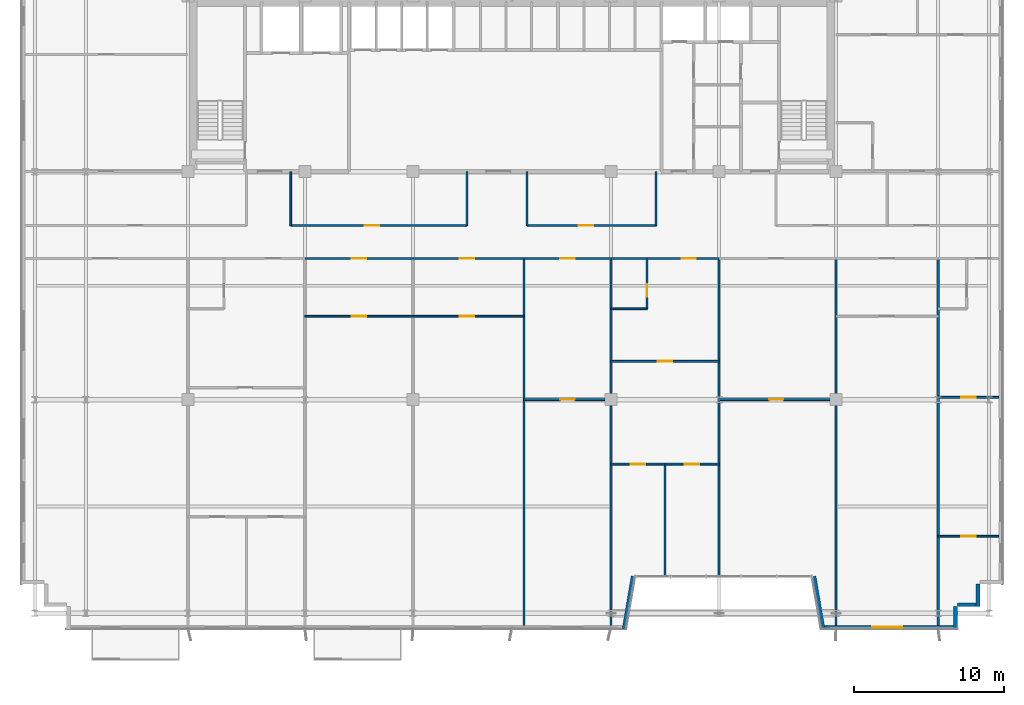
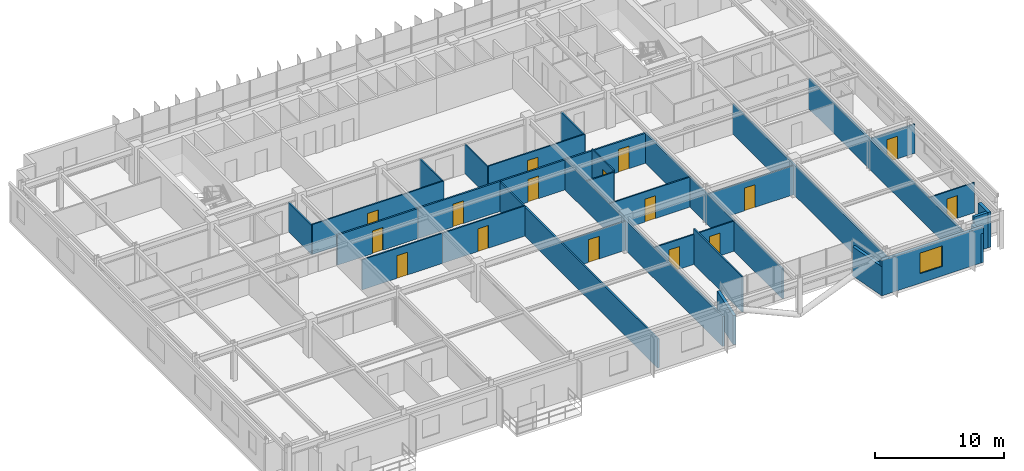
# One storey, part 20 of 26: 33 walls, 16 doors, 1 window, 17 openings.
"""IFC4 building model written with IfcOpenShell, lengths in metres."""

from ifc_helpers import new_model, si_unit, direction, frame, frame_2d, origin, place, context, subcontext, project, spatial, rectangle, extrude, source, transform, mapped, material, layer, layer_set, type_object, element, fill, save


model = new_model("IFC4")

# Units and contexts
model_context = context("Model", 3, precision=1e-05, world=origin(), true_north=direction((0.0, 1.0)))
body_context = subcontext(model_context, "Body", "Model", "MODEL_VIEW")
ifc_project = project(units=[si_unit("LENGTHUNIT", "METRE"), si_unit("AREAUNIT", "SQUARE_METRE"), si_unit("VOLUMEUNIT", "CUBIC_METRE"), si_unit("PLANEANGLEUNIT", "RADIAN"), si_unit("MASSUNIT", "GRAM", prefix="KILO")], contexts=[model_context])

# Site, building, storey
site_placement = place(None, origin())
site = spatial("IfcSite", under=ifc_project, at=site_placement, CompositionType="ELEMENT")
building_placement = place(site_placement, origin())
building = spatial("IfcBuilding", under=site, at=building_placement, Name="Trelvane Seafront Commons", CompositionType="ELEMENT")
storey_placement = place(building_placement, frame((0.0, 0.0, 124.89990234375)))
storey = spatial("IfcBuildingStorey", under=building, at=storey_placement, Name="L32", CompositionType="ELEMENT", Elevation=124.89990234375)

# Walls
ifc_material_1 = material(Name="Precast concrete C40/50", Category="concrete")
ifc_layer_1 = layer(ifc_material_1, 0.260009765625, Name="ARCH-WALL-EXT260")
ifc_layer_set_1 = layer_set([ifc_layer_1], Name="Precast concrete C40/50")
wall_type_1 = type_object("IfcWallType", Name="ARCH-WALL-EXT260", PredefinedType="SOLIDWALL", material=ifc_layer_set_1)
for number, where, z_axis, x_axis, name in (
    (1, (68.27001953125, 5.89990234375, 0.0), (0.0, 0.0, 1.0), (0.0, -1.0, 0.0), "EW-L32-00621"),
    (2, (68.39990234375, 4.530029296875, 0.0), (0.0, 0.0, 1.0), (-1.0, 0.0, 0.0), "EW-L32-00622"),
):
    element("IfcWall", number, at=place(storey_placement, frame(where, z_axis=z_axis, x_axis=x_axis)), inside=storey, type_object=wall_type_1, Name=name, PredefinedType="SOLIDWALL", context=body_context, shape_type="SweptSolid", body=[
        extrude(rectangle(XDim=1.5, YDim=0.260009765625, at=frame_2d((0.75, 0.0))), origin(), (0.0, 0.0, 1.0), 3.340087890625),
    ])
wall_1_placement = place(storey_placement, frame((66.77001953125, 4.39990234375, 0.0), z_axis=(0.0, 0.0, 1.0), x_axis=(0.0, -1.0, 0.0)))
element("IfcWall", 3, at=wall_1_placement, inside=storey, type_object=wall_type_1, Name="EW-L32-00623", PredefinedType="SOLIDWALL", context=body_context, shape_type="SweptSolid", body=[
    extrude(rectangle(XDim=1.5, YDim=0.260009765625, at=frame_2d((0.75, 0.0))), origin(), (0.0, 0.0, 1.0), 2.752197265625),
])

# Wall, opening, window
wall_2_placement = place(storey_placement, frame((66.89990234375, 3.030029296875, 0.0), z_axis=(0.0, 0.0, 1.0), x_axis=(-1.0, 0.0, 0.0)))
wall_2 = element("IfcWall", 4, at=wall_2_placement, inside=storey, type_object=wall_type_1, Name="EW-L32-00624", PredefinedType="SOLIDWALL", context=body_context, shape_type="SweptSolid", body=[
    extrude(rectangle(XDim=9.099853515625, YDim=0.260009765625, at=frame_2d((4.5498046875, 0.0))), origin(), (0.0, 0.0, 1.0), 3.340087890625),
])
opening_1_placement = place(wall_2_placement, frame((3.699951171875, 0.0, 0.89990234375)))
opening_1 = element("IfcOpeningElement", 5, at=opening_1_placement, cuts=wall_2, Name="Opening W06", PredefinedType="OPENING", context=body_context, shape_type="SweptSolid", body=[
    extrude(rectangle(XDim=2.0, YDim=1.949951171875, at=frame_2d((1.0, 0.97509765625))), frame((0.0, 0.139892578125, 0.0), z_axis=(0.0, -1.0, 0.0), x_axis=(1.0, 0.0, 0.0)), (0.0, 0.0, 1.0), 0.280029296875),
])
ifc_material_2 = material(Name="Low-E coastal double glazing", Category="glass")
window_type = type_object("IfcWindowType", Name="ARCH-WIN-W06", PartitioningType="SINGLE_PANEL", PredefinedType="WINDOW", material=ifc_material_2)
shared_shape_1 = source(origin(), body_context, "Body", "SweptSolid", [
    extrude(rectangle(XDim=2.0, YDim=1.949951171875, at=frame_2d((1.0, 0.97509765625))), frame((0.0, 0.030029296875, 0.0), z_axis=(0.0, -1.0, 0.0), x_axis=(1.0, 0.0, 0.0)), (0.0, 0.0, 1.0), 0.06005859375),
])
window_placement = place(opening_1_placement, origin())
window = element("IfcWindow", 6, at=window_placement, inside=storey, type_object=window_type, Name="WIN-L32-00734", OverallHeight=1.949951171875, OverallWidth=2.0, PartitioningType="SINGLE_PANEL", PredefinedType="WINDOW", context=body_context, shape_type="MappedRepresentation", body=[
    mapped(shared_shape_1, transform((0.0, 0.0, 0.0), x_axis=(1.0, 0.0, 0.0), y_axis=(0.0, 1.0, 0.0), z_axis=(0.0, 0.0, 1.0), scale=1.0)),
])
fill(opening_1, window)

# Walls
for number, where, z_axis, x_axis, name in (
    (7, (57.927978515625, 2.922119140625, 0.0), (0.0, 0.0, 1.0), (-0.168923741424, 0.98562912375, 0.0), "EW-L32-00625"),
    (8, (45.27197265625, 6.422119140625, 0.0), (0.0, 0.0, 1.0), (-0.168990530437, -0.98561767467, 0.0), "EW-L32-00626"),
):
    element("IfcWall", number, at=place(storey_placement, frame(where, z_axis=z_axis, x_axis=x_axis)), inside=storey, type_object=wall_type_1, Name=name, PredefinedType="SOLIDWALL", context=body_context, shape_type="SweptSolid", body=[
        extrude(rectangle(XDim=3.551025390625, YDim=0.260009765625, at=frame_2d((1.775390625, 0.0))), origin(), (0.0, 0.0, 1.0), 2.752197265625),
    ])

# Wall, opening, door
ifc_material_3 = material(Name="Gypsum Drywall Acoustic Partition")
ifc_layer_2 = layer(ifc_material_3, 0.1201171875, Name="ARCH-WALL-PART120")
ifc_layer_set_2 = layer_set([ifc_layer_2], Name="Gypsum Drywall Acoustic Partition")
wall_type_2 = type_object("IfcWallType", Name="ARCH-WALL-PART120", PredefinedType="PARTITIONING", material=ifc_layer_set_2)
wall_3_placement = place(storey_placement, frame((22.449951171875, 29.800048828125, 0.0), z_axis=(0.0, 0.0, 1.0), x_axis=(1.0, 0.0, 0.0)))
wall_3 = element("IfcWall", 9, at=wall_3_placement, inside=storey, type_object=wall_type_2, Name="W-L32-CORR-N-M1-040", PredefinedType="PARTITIONING", context=body_context, shape_type="SweptSolid", body=[
    extrude(rectangle(XDim=11.75, YDim=0.1201171875, at=frame_2d((5.875, 0.0))), origin(), (0.0, 0.0, 1.0), 2.840087890625),
])
opening_2_placement = place(wall_3_placement, frame((4.944091796875, 0.0, 0.0)))
opening_2 = element("IfcOpeningElement", 10, at=opening_2_placement, cuts=wall_3, Name="Opening D-L32-20", PredefinedType="OPENING", context=body_context, shape_type="SweptSolid", body=[
    extrude(rectangle(XDim=0.949951171875, YDim=2.14990234375, at=frame_2d((0.47509765625, 1.074951171875))), frame((0.0, 0.070068359375, 0.0), z_axis=(0.0, -1.0, 0.0), x_axis=(1.0, 0.0, 0.0)), (0.0, 0.0, 1.0), 0.14013671875),
])
ifc_material_4 = material(Name="Acoustic timber door leaf", Category="wood")
door_type_1 = type_object("IfcDoorType", Name="ARCH-DR-INT950", OperationType="NOTDEFINED", PredefinedType="DOOR", material=ifc_material_4)
shared_shape_2 = source(origin(), body_context, "Body", "SweptSolid", [
    extrude(rectangle(XDim=0.949951171875, YDim=2.14990234375, at=frame_2d((0.47509765625, 1.074951171875))), frame((0.0, 0.02490234375, 0.0), z_axis=(0.0, -1.0, 0.0), x_axis=(1.0, 0.0, 0.0)), (0.0, 0.0, 1.0), 0.050048828125),
])
door_1_placement = place(opening_2_placement, origin())
door_1 = element("IfcDoor", 11, at=door_1_placement, inside=storey, type_object=door_type_1, Name="L32 Door 20", OperationType="SINGLE_SWING_RIGHT", OverallHeight=2.14990234375, OverallWidth=0.949951171875, PredefinedType="DOOR", context=body_context, shape_type="MappedRepresentation", body=[
    mapped(shared_shape_2, transform((0.0, 0.0, 0.0), x_axis=(1.0, 0.0, 0.0), y_axis=(0.0, 1.0, 0.0), z_axis=(0.0, 0.0, 1.0), scale=1.0)),
])
fill(opening_2, door_1)

wall_4_placement = place(storey_placement, frame((38.199951171875, 29.800048828125, 0.0), z_axis=(0.0, 0.0, 1.0), x_axis=(1.0, 0.0, 0.0)))
wall_4 = element("IfcWall", 12, at=wall_4_placement, inside=storey, type_object=wall_type_2, Name="W-L32-CORR-N-M2-041", PredefinedType="PARTITIONING", context=body_context, shape_type="SweptSolid", body=[
    extrude(rectangle(XDim=8.60009765625, YDim=0.1201171875, at=frame_2d((4.300048828125, 0.0))), origin(), (0.0, 0.0, 1.0), 2.840087890625),
])
opening_3_placement = place(wall_4_placement, frame((3.4619140625, 0.0, 0.0)))
opening_3 = element("IfcOpeningElement", 13, at=opening_3_placement, cuts=wall_4, Name="Opening D-L32-21", PredefinedType="OPENING", context=body_context, shape_type="SweptSolid", body=[
    extrude(rectangle(XDim=0.949951171875, YDim=2.14990234375, at=frame_2d((0.47509765625, 1.074951171875))), frame((0.0, 0.070068359375, 0.0), z_axis=(0.0, -1.0, 0.0), x_axis=(1.0, 0.0, 0.0)), (0.0, 0.0, 1.0), 0.14013671875),
])
door_2_placement = place(opening_3_placement, origin())
door_2 = element("IfcDoor", 14, at=door_2_placement, inside=storey, type_object=door_type_1, Name="L32 Door 21", OperationType="SINGLE_SWING_LEFT", OverallHeight=2.14990234375, OverallWidth=0.949951171875, PredefinedType="DOOR", context=body_context, shape_type="MappedRepresentation", body=[
    mapped(shared_shape_2, transform((0.0, 0.0, 0.0), x_axis=(1.0, 0.0, 0.0), y_axis=(0.0, 1.0, 0.0), z_axis=(0.0, 0.0, 1.0), scale=1.0)),
])
fill(opening_3, door_2)

# Walls
for number, where, z_axis, x_axis, name in (
    (15, (22.449951171875, 29.800048828125, 0.0), (0.0, 0.0, 1.0), (0.0, 1.0, 0.0), "W-L32-N-SPUR-W2-045"),
    (16, (34.199951171875, 29.800048828125, 0.0), (0.0, 0.0, 1.0), (0.0, 1.0, 0.0), "W-L32-N-SPUR-M1-046"),
    (17, (38.199951171875, 29.800048828125, 0.0), (0.0, 0.0, 1.0), (0.0, 1.0, 0.0), "W-L32-N-SPUR-M2-047"),
    (18, (46.800048828125, 29.800048828125, 0.0), (0.0, 0.0, 1.0), (0.0, 1.0, 0.0), "W-L32-N-SPUR-E1-048"),
):
    element("IfcWall", number, at=place(storey_placement, frame(where, z_axis=z_axis, x_axis=x_axis)), inside=storey, type_object=wall_type_2, Name=name, PredefinedType="PARTITIONING", context=body_context, shape_type="SweptSolid", body=[
        extrude(rectangle(XDim=3.599853515625, YDim=0.1201171875, at=frame_2d((1.7998046875, 0.0))), origin(), (0.0, 0.0, 1.0), 2.752197265625),
    ])

# Wall, opening, door
wall_5_placement = place(storey_placement, frame((23.39990234375, 23.75, 0.0), z_axis=(0.0, 0.0, 1.0), x_axis=(1.0, 0.0, 0.0)))
wall_5 = element("IfcWall", 19, at=wall_5_placement, inside=storey, type_object=wall_type_2, Name="W-L32-U3-DIV-078", PredefinedType="PARTITIONING", context=body_context, shape_type="SweptSolid", body=[
    extrude(rectangle(XDim=7.2001953125, YDim=0.1201171875, at=frame_2d((3.60009765625, 0.0))), origin(), (0.0, 0.0, 1.0), 2.840087890625),
])
opening_4_placement = place(wall_5_placement, frame((3.125, 0.0, 0.0)))
opening_4 = element("IfcOpeningElement", 20, at=opening_4_placement, cuts=wall_5, Name="Opening D-L32-40", PredefinedType="OPENING", context=body_context, shape_type="SweptSolid", body=[
    extrude(rectangle(XDim=0.949951171875, YDim=2.14990234375, at=frame_2d((0.47509765625, 1.074951171875))), frame((0.0, 0.070068359375, 0.0), z_axis=(0.0, -1.0, 0.0), x_axis=(1.0, 0.0, 0.0)), (0.0, 0.0, 1.0), 0.14013671875),
])
door_3_placement = place(opening_4_placement, origin())
door_3 = element("IfcDoor", 21, at=door_3_placement, inside=storey, type_object=door_type_1, Name="L32 Door 40", OperationType="SINGLE_SWING_RIGHT", OverallHeight=2.14990234375, OverallWidth=0.949951171875, PredefinedType="DOOR", context=body_context, shape_type="MappedRepresentation", body=[
    mapped(shared_shape_2, transform((0.0, 0.0, 0.0), x_axis=(1.0, 0.0, 0.0), y_axis=(0.0, 1.0, 0.0), z_axis=(0.0, 0.0, 1.0), scale=1.0)),
])
fill(opening_4, door_3)

wall_6_placement = place(storey_placement, frame((30.60009765625, 23.75, 0.0), z_axis=(0.0, 0.0, 1.0), x_axis=(1.0, 0.0, 0.0)))
wall_6 = element("IfcWall", 22, at=wall_6_placement, inside=storey, type_object=wall_type_2, Name="W-L32-U4-DIV-080", PredefinedType="PARTITIONING", context=body_context, shape_type="SweptSolid", body=[
    extrude(rectangle(XDim=7.39990234375, YDim=0.1201171875, at=frame_2d((3.699951171875, 0.0))), origin(), (0.0, 0.0, 1.0), 2.840087890625),
])
opening_5_placement = place(wall_6_placement, frame((3.133056640625, 0.0, 0.0)))
opening_5 = element("IfcOpeningElement", 23, at=opening_5_placement, cuts=wall_6, Name="Opening D-L32-42", PredefinedType="OPENING", context=body_context, shape_type="SweptSolid", body=[
    extrude(rectangle(XDim=0.949951171875, YDim=2.14990234375, at=frame_2d((0.47509765625, 1.074951171875))), frame((0.0, 0.070068359375, 0.0), z_axis=(0.0, -1.0, 0.0), x_axis=(1.0, 0.0, 0.0)), (0.0, 0.0, 1.0), 0.14013671875),
])
door_4_placement = place(opening_5_placement, origin())
door_4 = element("IfcDoor", 24, at=door_4_placement, inside=storey, type_object=door_type_1, Name="L32 Door 42", OperationType="SINGLE_SWING_RIGHT", OverallHeight=2.14990234375, OverallWidth=0.949951171875, PredefinedType="DOOR", context=body_context, shape_type="MappedRepresentation", body=[
    mapped(shared_shape_2, transform((0.0, 0.0, 0.0), x_axis=(1.0, 0.0, 0.0), y_axis=(0.0, 1.0, 0.0), z_axis=(0.0, 0.0, 1.0), scale=1.0)),
])
fill(opening_5, door_4)

wall_7_placement = place(storey_placement, frame((38.0, 18.199951171875, 0.0), z_axis=(0.0, 0.0, 1.0), x_axis=(1.0, 0.0, 0.0)))
wall_7 = element("IfcWall", 25, at=wall_7_placement, inside=storey, type_object=wall_type_2, Name="W-L32-U5-DIV-082", PredefinedType="PARTITIONING", context=body_context, shape_type="SweptSolid", body=[
    extrude(rectangle(XDim=5.800048828125, YDim=0.1201171875, at=frame_2d((2.89990234375, 0.0))), origin(), (0.0, 0.0, 1.0), 2.752197265625),
])
opening_6_placement = place(wall_7_placement, frame((2.425048828125, 0.0, 0.0)))
opening_6 = element("IfcOpeningElement", 26, at=opening_6_placement, cuts=wall_7, Name="Opening D-L32-44", PredefinedType="OPENING", context=body_context, shape_type="SweptSolid", body=[
    extrude(rectangle(XDim=0.949951171875, YDim=2.14990234375, at=frame_2d((0.47509765625, 1.074951171875))), frame((0.0, 0.070068359375, 0.0), z_axis=(0.0, -1.0, 0.0), x_axis=(1.0, 0.0, 0.0)), (0.0, 0.0, 1.0), 0.14013671875),
])
door_5_placement = place(opening_6_placement, origin())
door_5 = element("IfcDoor", 27, at=door_5_placement, inside=storey, type_object=door_type_1, Name="L32 Door 44", OperationType="SINGLE_SWING_RIGHT", OverallHeight=2.14990234375, OverallWidth=0.949951171875, PredefinedType="DOOR", context=body_context, shape_type="MappedRepresentation", body=[
    mapped(shared_shape_2, transform((0.0, 0.0, 0.0), x_axis=(1.0, 0.0, 0.0), y_axis=(0.0, 1.0, 0.0), z_axis=(0.0, 0.0, 1.0), scale=1.0)),
])
fill(opening_6, door_5)

wall_8_placement = place(storey_placement, frame((43.800048828125, 20.75, 0.0), z_axis=(0.0, 0.0, 1.0), x_axis=(1.0, 0.0, 0.0)))
wall_8 = element("IfcWall", 28, at=wall_8_placement, inside=storey, type_object=wall_type_2, Name="W-L32-U6-KL-083", PredefinedType="PARTITIONING", context=body_context, shape_type="SweptSolid", body=[
    extrude(rectangle(XDim=7.199951171875, YDim=0.1201171875, at=frame_2d((3.60009765625, 0.0))), origin(), (0.0, 0.0, 1.0), 2.840087890625),
])
opening_7_placement = place(wall_8_placement, frame((3.125, 0.0, 0.0)))
opening_7 = element("IfcOpeningElement", 29, at=opening_7_placement, cuts=wall_8, Name="Opening D-L32-45", PredefinedType="OPENING", context=body_context, shape_type="SweptSolid", body=[
    extrude(rectangle(XDim=0.949951171875, YDim=2.14990234375, at=frame_2d((0.47509765625, 1.074951171875))), frame((0.0, 0.070068359375, 0.0), z_axis=(0.0, -1.0, 0.0), x_axis=(1.0, 0.0, 0.0)), (0.0, 0.0, 1.0), 0.14013671875),
])
door_6_placement = place(opening_7_placement, origin())
door_6 = element("IfcDoor", 30, at=door_6_placement, inside=storey, type_object=door_type_1, Name="L32 Door 45", OperationType="SINGLE_SWING_LEFT", OverallHeight=2.14990234375, OverallWidth=0.949951171875, PredefinedType="DOOR", context=body_context, shape_type="MappedRepresentation", body=[
    mapped(shared_shape_2, transform((0.0, 0.0, 0.0), x_axis=(1.0, 0.0, 0.0), y_axis=(0.0, 1.0, 0.0), z_axis=(0.0, 0.0, 1.0), scale=1.0)),
])
fill(opening_7, door_6)

wall_9_placement = place(storey_placement, frame((46.199951171875, 24.25, 0.0), z_axis=(0.0, 0.0, 1.0), x_axis=(0.0, 1.0, 0.0)))
wall_9 = element("IfcWall", 31, at=wall_9_placement, inside=storey, type_object=wall_type_2, Name="W-L32-U6-BE-084", PredefinedType="PARTITIONING", context=body_context, shape_type="SweptSolid", body=[
    extrude(rectangle(XDim=3.35009765625, YDim=0.1201171875, at=frame_2d((1.675048828125, 0.0))), origin(), (0.0, 0.0, 1.0), 2.989990234375),
])
opening_8_placement = place(wall_9_placement, frame((0.800048828125, 0.0, 0.0)))
opening_8 = element("IfcOpeningElement", 32, at=opening_8_placement, cuts=wall_9, Name="Opening D-L32-46", PredefinedType="OPENING", context=body_context, shape_type="SweptSolid", body=[
    extrude(rectangle(XDim=0.85009765625, YDim=2.10009765625, at=frame_2d((0.425048828125, 1.050048828125))), frame((0.0, 0.070068359375, 0.0), z_axis=(0.0, -1.0, 0.0), x_axis=(1.0, 0.0, 0.0)), (0.0, 0.0, 1.0), 0.14013671875),
])
door_type_2 = type_object("IfcDoorType", Name="ARCH-DR-INT850", OperationType="NOTDEFINED", PredefinedType="DOOR", material=ifc_material_4)
shared_shape_3 = source(origin(), body_context, "Body", "SweptSolid", [
    extrude(rectangle(XDim=0.85009765625, YDim=2.10009765625, at=frame_2d((0.425048828125, 1.050048828125))), frame((0.0, 0.02490234375, 0.0), z_axis=(0.0, -1.0, 0.0), x_axis=(1.0, 0.0, 0.0)), (0.0, 0.0, 1.0), 0.050048828125),
])
door_7_placement = place(opening_8_placement, origin())
door_7 = element("IfcDoor", 33, at=door_7_placement, inside=storey, type_object=door_type_2, Name="L32 Door 46", OperationType="SINGLE_SWING_RIGHT", OverallHeight=2.10009765625, OverallWidth=0.85009765625, PredefinedType="DOOR", context=body_context, shape_type="MappedRepresentation", body=[
    mapped(shared_shape_3, transform((0.0, 0.0, 0.0), x_axis=(1.0, 0.0, 0.0), y_axis=(0.0, 1.0, 0.0), z_axis=(0.0, 0.0, 1.0), scale=1.0)),
])
fill(opening_8, door_7)

# Wall
wall_10_placement = place(storey_placement, frame((43.800048828125, 24.25, 0.0), z_axis=(0.0, 0.0, 1.0), x_axis=(1.0, 0.0, 0.0)))
element("IfcWall", 34, at=wall_10_placement, inside=storey, type_object=wall_type_2, Name="W-L32-U6-BS-085", PredefinedType="PARTITIONING", context=body_context, shape_type="SweptSolid", body=[
    extrude(rectangle(XDim=2.39990234375, YDim=0.1201171875, at=frame_2d((1.199951171875, 0.0))), origin(), (0.0, 0.0, 1.0), 2.840087890625),
])

# Wall, opening, door
wall_11_placement = place(storey_placement, frame((43.800048828125, 13.89990234375, 0.0), z_axis=(0.0, 0.0, 1.0), x_axis=(1.0, 0.0, 0.0)))
wall_11 = element("IfcWall", 35, at=wall_11_placement, inside=storey, type_object=wall_type_2, Name="W-L32-U6-YM-1-087", PredefinedType="PARTITIONING", context=body_context, shape_type="SweptSolid", body=[
    extrude(rectangle(XDim=3.599853515625, YDim=0.1201171875, at=frame_2d((1.7998046875, 0.0))), origin(), (0.0, 0.0, 1.0), 2.840087890625),
])
opening_9_placement = place(wall_11_placement, frame((1.324951171875, 0.0, 0.0)))
opening_9 = element("IfcOpeningElement", 36, at=opening_9_placement, cuts=wall_11, Name="Opening D-L32-48", PredefinedType="OPENING", context=body_context, shape_type="SweptSolid", body=[
    extrude(rectangle(XDim=0.949951171875, YDim=2.14990234375, at=frame_2d((0.47509765625, 1.074951171875))), frame((0.0, 0.070068359375, 0.0), z_axis=(0.0, -1.0, 0.0), x_axis=(1.0, 0.0, 0.0)), (0.0, 0.0, 1.0), 0.14013671875),
])
door_8_placement = place(opening_9_placement, origin())
door_8 = element("IfcDoor", 37, at=door_8_placement, inside=storey, type_object=door_type_1, Name="L32 Door 48", OperationType="SINGLE_SWING_RIGHT", OverallHeight=2.14990234375, OverallWidth=0.949951171875, PredefinedType="DOOR", context=body_context, shape_type="MappedRepresentation", body=[
    mapped(shared_shape_2, transform((0.0, 0.0, 0.0), x_axis=(1.0, 0.0, 0.0), y_axis=(0.0, 1.0, 0.0), z_axis=(0.0, 0.0, 1.0), scale=1.0)),
])
fill(opening_9, door_8)

wall_12_placement = place(storey_placement, frame((47.39990234375, 13.89990234375, 0.0), z_axis=(0.0, 0.0, 1.0), x_axis=(1.0, 0.0, 0.0)))
wall_12 = element("IfcWall", 38, at=wall_12_placement, inside=storey, type_object=wall_type_2, Name="W-L32-U6-YM-2-088", PredefinedType="PARTITIONING", context=body_context, shape_type="SweptSolid", body=[
    extrude(rectangle(XDim=3.60009765625, YDim=0.1201171875, at=frame_2d((1.800048828125, 0.0))), origin(), (0.0, 0.0, 1.0), 2.840087890625),
])
opening_10_placement = place(wall_12_placement, frame((1.324951171875, 0.0, 0.0)))
opening_10 = element("IfcOpeningElement", 39, at=opening_10_placement, cuts=wall_12, Name="Opening D-L32-49", PredefinedType="OPENING", context=body_context, shape_type="SweptSolid", body=[
    extrude(rectangle(XDim=0.949951171875, YDim=2.14990234375, at=frame_2d((0.47509765625, 1.074951171875))), frame((0.0, 0.070068359375, 0.0), z_axis=(0.0, -1.0, 0.0), x_axis=(1.0, 0.0, 0.0)), (0.0, 0.0, 1.0), 0.14013671875),
])
door_9_placement = place(opening_10_placement, origin())
door_9 = element("IfcDoor", 40, at=door_9_placement, inside=storey, type_object=door_type_1, Name="L32 Door 49", OperationType="SINGLE_SWING_LEFT", OverallHeight=2.14990234375, OverallWidth=0.949951171875, PredefinedType="DOOR", context=body_context, shape_type="MappedRepresentation", body=[
    mapped(shared_shape_2, transform((0.0, 0.0, 0.0), x_axis=(1.0, 0.0, 0.0), y_axis=(0.0, 1.0, 0.0), z_axis=(0.0, 0.0, 1.0), scale=1.0)),
])
fill(opening_10, door_9)

# Wall
wall_13_placement = place(storey_placement, frame((47.39990234375, 6.409912109375, 0.0), z_axis=(0.0, 0.0, 1.0), x_axis=(0.0, 1.0, 0.0)))
element("IfcWall", 41, at=wall_13_placement, inside=storey, type_object=wall_type_2, Name="W-L32-U6-BDV-1-089", PredefinedType="PARTITIONING", context=body_context, shape_type="SweptSolid", body=[
    extrude(rectangle(XDim=7.489990234375, YDim=0.1201171875, at=frame_2d((3.7451171875, 0.0))), origin(), (0.0, 0.0, 1.0), 3.340087890625),
])

# Wall, opening, door
wall_14_placement = place(storey_placement, frame((51.0, 18.199951171875, 0.0), z_axis=(0.0, 0.0, 1.0), x_axis=(1.0, 0.0, 0.0)))
wall_14 = element("IfcWall", 42, at=wall_14_placement, inside=storey, type_object=wall_type_2, Name="W-L32-U7-DIV-091", PredefinedType="PARTITIONING", context=body_context, shape_type="SweptSolid", body=[
    extrude(rectangle(XDim=7.800048828125, YDim=0.1201171875, at=frame_2d((3.89990234375, 0.0))), origin(), (0.0, 0.0, 1.0), 2.752197265625),
])
opening_11_placement = place(wall_14_placement, frame((3.3330078125, 0.0, 0.0)))
opening_11 = element("IfcOpeningElement", 43, at=opening_11_placement, cuts=wall_14, Name="Opening D-L32-51", PredefinedType="OPENING", context=body_context, shape_type="SweptSolid", body=[
    extrude(rectangle(XDim=0.949951171875, YDim=2.14990234375, at=frame_2d((0.47509765625, 1.074951171875))), frame((0.0, 0.070068359375, 0.0), z_axis=(0.0, -1.0, 0.0), x_axis=(1.0, 0.0, 0.0)), (0.0, 0.0, 1.0), 0.14013671875),
])
door_10_placement = place(opening_11_placement, origin())
door_10 = element("IfcDoor", 44, at=door_10_placement, inside=storey, type_object=door_type_1, Name="L32 Door 51", OperationType="SINGLE_SWING_LEFT", OverallHeight=2.14990234375, OverallWidth=0.949951171875, PredefinedType="DOOR", context=body_context, shape_type="MappedRepresentation", body=[
    mapped(shared_shape_2, transform((0.0, 0.0, 0.0), x_axis=(1.0, 0.0, 0.0), y_axis=(0.0, 1.0, 0.0), z_axis=(0.0, 0.0, 1.0), scale=1.0)),
])
fill(opening_11, door_10)

wall_15_placement = place(storey_placement, frame((65.60009765625, 18.35009765625, 0.0), z_axis=(0.0, 0.0, 1.0), x_axis=(1.0, 0.0, 0.0)))
wall_15 = element("IfcWall", 45, at=wall_15_placement, inside=storey, type_object=wall_type_2, Name="W-L32-U9-KL-094", PredefinedType="PARTITIONING", context=body_context, shape_type="SweptSolid", body=[
    extrude(rectangle(XDim=4.039794921875, YDim=0.1201171875, at=frame_2d((2.02001953125, 0.0))), origin(), (0.0, 0.0, 1.0), 2.752197265625),
])
opening_12_placement = place(wall_15_placement, frame((1.544921875, 0.0, 0.0)))
opening_12 = element("IfcOpeningElement", 46, at=opening_12_placement, cuts=wall_15, Name="Opening D-L32-54", PredefinedType="OPENING", context=body_context, shape_type="SweptSolid", body=[
    extrude(rectangle(XDim=0.949951171875, YDim=2.14990234375, at=frame_2d((0.47509765625, 1.074951171875))), frame((0.0, 0.070068359375, 0.0), z_axis=(0.0, -1.0, 0.0), x_axis=(1.0, 0.0, 0.0)), (0.0, 0.0, 1.0), 0.14013671875),
])
door_11_placement = place(opening_12_placement, origin())
door_11 = element("IfcDoor", 47, at=door_11_placement, inside=storey, type_object=door_type_1, Name="L32 Door 54", OperationType="SINGLE_SWING_RIGHT", OverallHeight=2.14990234375, OverallWidth=0.949951171875, PredefinedType="DOOR", context=body_context, shape_type="MappedRepresentation", body=[
    mapped(shared_shape_2, transform((0.0, 0.0, 0.0), x_axis=(1.0, 0.0, 0.0), y_axis=(0.0, 1.0, 0.0), z_axis=(0.0, 0.0, 1.0), scale=1.0)),
])
fill(opening_12, door_11)

wall_16_placement = place(storey_placement, frame((65.60009765625, 9.10009765625, 0.0), z_axis=(0.0, 0.0, 1.0), x_axis=(1.0, 0.0, 0.0)))
wall_16 = element("IfcWall", 48, at=wall_16_placement, inside=storey, type_object=wall_type_2, Name="W-L32-U9-YM-1-098", PredefinedType="PARTITIONING", context=body_context, shape_type="SweptSolid", body=[
    extrude(rectangle(XDim=4.039794921875, YDim=0.1201171875, at=frame_2d((2.02001953125, 0.0))), origin(), (0.0, 0.0, 1.0), 2.840087890625),
])
opening_13_placement = place(wall_16_placement, frame((1.544921875, 0.0, 0.0)))
opening_13 = element("IfcOpeningElement", 49, at=opening_13_placement, cuts=wall_16, Name="Opening D-L32-57", PredefinedType="OPENING", context=body_context, shape_type="SweptSolid", body=[
    extrude(rectangle(XDim=0.949951171875, YDim=2.14990234375, at=frame_2d((0.47509765625, 1.074951171875))), frame((0.0, 0.070068359375, 0.0), z_axis=(0.0, -1.0, 0.0), x_axis=(1.0, 0.0, 0.0)), (0.0, 0.0, 1.0), 0.14013671875),
])
door_12_placement = place(opening_13_placement, origin())
door_12 = element("IfcDoor", 50, at=door_12_placement, inside=storey, type_object=door_type_1, Name="L32 Door 57", OperationType="SINGLE_SWING_LEFT", OverallHeight=2.14990234375, OverallWidth=0.949951171875, PredefinedType="DOOR", context=body_context, shape_type="MappedRepresentation", body=[
    mapped(shared_shape_2, transform((0.0, 0.0, 0.0), x_axis=(1.0, 0.0, 0.0), y_axis=(0.0, 1.0, 0.0), z_axis=(0.0, 0.0, 1.0), scale=1.0)),
])
fill(opening_13, door_12)

# Walls
ifc_layer_3 = layer(ifc_material_3, 0.14990234375, Name="ARCH-WALL-PART150")
ifc_layer_set_3 = layer_set([ifc_layer_3], Name="Gypsum Drywall Acoustic Partition")
wall_type_3 = type_object("IfcWallType", Name="ARCH-WALL-PART150", PredefinedType="PARTITIONING", material=ifc_layer_set_3)
wall_17_placement = place(storey_placement, frame((38.0, 3.14501953125, 0.0), z_axis=(0.0, 0.0, 1.0), x_axis=(0.0, 1.0, 0.0)))
element("IfcWall", 51, at=wall_17_placement, inside=storey, type_object=wall_type_3, Name="W-L32-PW-4-064", PredefinedType="PARTITIONING", context=body_context, shape_type="SweptSolid", body=[
    extrude(rectangle(XDim=24.455078125, YDim=0.14990234375, at=frame_2d((12.2275390625, 0.0))), origin(), (0.0, 0.0, 1.0), 2.752197265625),
])
wall_18_placement = place(storey_placement, frame((43.800048828125, 3.14501953125, 0.0), z_axis=(0.0, 0.0, 1.0), x_axis=(0.0, 1.0, 0.0)))
element("IfcWall", 52, at=wall_18_placement, inside=storey, type_object=wall_type_3, Name="W-L32-PW-5-065", PredefinedType="PARTITIONING", context=body_context, shape_type="SweptSolid", body=[
    extrude(rectangle(XDim=24.455078125, YDim=0.14990234375, at=frame_2d((12.2275390625, 0.0))), origin(), (0.0, 0.0, 1.0), 2.840087890625),
])
wall_19_placement = place(storey_placement, frame((51.0, 6.409912109375, 0.0), z_axis=(0.0, 0.0, 1.0), x_axis=(0.0, 1.0, 0.0)))
element("IfcWall", 53, at=wall_19_placement, inside=storey, type_object=wall_type_3, Name="W-L32-PW-6-066", PredefinedType="PARTITIONING", context=body_context, shape_type="SweptSolid", body=[
    extrude(rectangle(XDim=21.190185546875, YDim=0.14990234375, at=frame_2d((10.59521484375, 0.0))), origin(), (0.0, 0.0, 1.0), 2.840087890625),
])
for number, where, z_axis, x_axis, name in (
    (54, (58.800048828125, 3.14501953125, 0.0), (0.0, 0.0, 1.0), (0.0, 1.0, 0.0), "W-L32-PW-7-067"),
    (55, (65.60009765625, 3.14501953125, 0.0), (0.0, 0.0, 1.0), (0.0, 1.0, 0.0), "W-L32-PW-8-068"),
):
    element("IfcWall", number, at=place(storey_placement, frame(where, z_axis=z_axis, x_axis=x_axis)), inside=storey, type_object=wall_type_3, Name=name, PredefinedType="PARTITIONING", context=body_context, shape_type="SweptSolid", body=[
        extrude(rectangle(XDim=24.455078125, YDim=0.14990234375, at=frame_2d((12.2275390625, 0.0))), origin(), (0.0, 0.0, 1.0), 2.840087890625),
    ])

# Wall, opening, door
wall_20_placement = place(storey_placement, frame((23.39990234375, 27.60009765625, 0.0), z_axis=(0.0, 0.0, 1.0), x_axis=(1.0, 0.0, 0.0)))
wall_20 = element("IfcWall", 56, at=wall_20_placement, inside=storey, type_object=wall_type_3, Name="W-L32-CS-BAY-3-077", PredefinedType="PARTITIONING", context=body_context, shape_type="SweptSolid", body=[
    extrude(rectangle(XDim=7.2001953125, YDim=0.14990234375, at=frame_2d((3.60009765625, 0.0))), origin(), (0.0, 0.0, 1.0), 2.840087890625),
])
opening_14_placement = place(wall_20_placement, frame((3.125, 0.0, 0.0)))
opening_14 = element("IfcOpeningElement", 57, at=opening_14_placement, cuts=wall_20, Name="Opening FD-L32-39", PredefinedType="OPENING", context=body_context, shape_type="SweptSolid", body=[
    extrude(rectangle(XDim=0.949951171875, YDim=2.14990234375, at=frame_2d((0.47509765625, 1.074951171875))), frame((0.0, 0.0849609375, 0.0), z_axis=(0.0, -1.0, 0.0), x_axis=(1.0, 0.0, 0.0)), (0.0, 0.0, 1.0), 0.169921875),
])
ifc_material_5 = material(Name="Powder-coated aluminium frame", Category="aluminium")
door_type_3 = type_object("IfcDoorType", Name="ARCH-DR-FD60-950", OperationType="NOTDEFINED", PredefinedType="DOOR", material=ifc_material_5)
door_13_placement = place(opening_14_placement, origin())
door_13 = element("IfcDoor", 58, at=door_13_placement, inside=storey, type_object=door_type_3, Name="L32 Bay 03 Entrance Door", OperationType="SINGLE_SWING_LEFT", OverallHeight=2.14990234375, OverallWidth=0.949951171875, PredefinedType="DOOR", context=body_context, shape_type="MappedRepresentation", body=[
    mapped(shared_shape_2, transform((0.0, 0.0, 0.0), x_axis=(1.0, 0.0, 0.0), y_axis=(0.0, 1.0, 0.0), z_axis=(0.0, 0.0, 1.0), scale=1.0)),
])
fill(opening_14, door_13)

wall_21_placement = place(storey_placement, frame((30.60009765625, 27.60009765625, 0.0), z_axis=(0.0, 0.0, 1.0), x_axis=(1.0, 0.0, 0.0)))
wall_21 = element("IfcWall", 59, at=wall_21_placement, inside=storey, type_object=wall_type_3, Name="W-L32-CS-BAY-4-079", PredefinedType="PARTITIONING", context=body_context, shape_type="SweptSolid", body=[
    extrude(rectangle(XDim=7.39990234375, YDim=0.14990234375, at=frame_2d((3.699951171875, 0.0))), origin(), (0.0, 0.0, 1.0), 2.840087890625),
])
opening_15_placement = place(wall_21_placement, frame((3.133056640625, 0.0, 0.0)))
opening_15 = element("IfcOpeningElement", 60, at=opening_15_placement, cuts=wall_21, Name="Opening FD-L32-41", PredefinedType="OPENING", context=body_context, shape_type="SweptSolid", body=[
    extrude(rectangle(XDim=0.949951171875, YDim=2.14990234375, at=frame_2d((0.47509765625, 1.074951171875))), frame((0.0, 0.0849609375, 0.0), z_axis=(0.0, -1.0, 0.0), x_axis=(1.0, 0.0, 0.0)), (0.0, 0.0, 1.0), 0.169921875),
])
door_14_placement = place(opening_15_placement, origin())
door_14 = element("IfcDoor", 61, at=door_14_placement, inside=storey, type_object=door_type_3, Name="L32 Bay 04 Entrance Door", OperationType="SINGLE_SWING_LEFT", OverallHeight=2.14990234375, OverallWidth=0.949951171875, PredefinedType="DOOR", context=body_context, shape_type="MappedRepresentation", body=[
    mapped(shared_shape_2, transform((0.0, 0.0, 0.0), x_axis=(1.0, 0.0, 0.0), y_axis=(0.0, 1.0, 0.0), z_axis=(0.0, 0.0, 1.0), scale=1.0)),
])
fill(opening_15, door_14)

wall_22_placement = place(storey_placement, frame((38.0, 27.60009765625, 0.0), z_axis=(0.0, 0.0, 1.0), x_axis=(1.0, 0.0, 0.0)))
wall_22 = element("IfcWall", 62, at=wall_22_placement, inside=storey, type_object=wall_type_3, Name="W-L32-CS-BAY-5-081", PredefinedType="PARTITIONING", context=body_context, shape_type="SweptSolid", body=[
    extrude(rectangle(XDim=5.800048828125, YDim=0.14990234375, at=frame_2d((2.89990234375, 0.0))), origin(), (0.0, 0.0, 1.0), 2.840087890625),
])
opening_16_placement = place(wall_22_placement, frame((2.425048828125, 0.0, 0.0)))
opening_16 = element("IfcOpeningElement", 63, at=opening_16_placement, cuts=wall_22, Name="Opening FD-L32-43", PredefinedType="OPENING", context=body_context, shape_type="SweptSolid", body=[
    extrude(rectangle(XDim=0.949951171875, YDim=2.14990234375, at=frame_2d((0.47509765625, 1.074951171875))), frame((0.0, 0.0849609375, 0.0), z_axis=(0.0, -1.0, 0.0), x_axis=(1.0, 0.0, 0.0)), (0.0, 0.0, 1.0), 0.169921875),
])
door_15_placement = place(opening_16_placement, origin())
door_15 = element("IfcDoor", 64, at=door_15_placement, inside=storey, type_object=door_type_3, Name="L32 Bay 05 Entrance Door", OperationType="SINGLE_SWING_LEFT", OverallHeight=2.14990234375, OverallWidth=0.949951171875, PredefinedType="DOOR", context=body_context, shape_type="MappedRepresentation", body=[
    mapped(shared_shape_2, transform((0.0, 0.0, 0.0), x_axis=(1.0, 0.0, 0.0), y_axis=(0.0, 1.0, 0.0), z_axis=(0.0, 0.0, 1.0), scale=1.0)),
])
fill(opening_16, door_15)

wall_23_placement = place(storey_placement, frame((43.800048828125, 27.60009765625, 0.0), z_axis=(0.0, 0.0, 1.0), x_axis=(1.0, 0.0, 0.0)))
wall_23 = element("IfcWall", 65, at=wall_23_placement, inside=storey, type_object=wall_type_3, Name="W-L32-CS-BAY-6-086", PredefinedType="PARTITIONING", context=body_context, shape_type="SweptSolid", body=[
    extrude(rectangle(XDim=7.199951171875, YDim=0.14990234375, at=frame_2d((3.60009765625, 0.0))), origin(), (0.0, 0.0, 1.0), 2.840087890625),
])
opening_17_placement = place(wall_23_placement, frame((4.7060546875, 0.0, 0.0)))
opening_17 = element("IfcOpeningElement", 66, at=opening_17_placement, cuts=wall_23, Name="Opening FD-L32-47", PredefinedType="OPENING", context=body_context, shape_type="SweptSolid", body=[
    extrude(rectangle(XDim=0.949951171875, YDim=2.14990234375, at=frame_2d((0.47509765625, 1.074951171875))), frame((0.0, 0.0849609375, 0.0), z_axis=(0.0, -1.0, 0.0), x_axis=(1.0, 0.0, 0.0)), (0.0, 0.0, 1.0), 0.169921875),
])
door_16_placement = place(opening_17_placement, origin())
door_16 = element("IfcDoor", 67, at=door_16_placement, inside=storey, type_object=door_type_3, Name="L32 Unit 06 Entrance Door", OperationType="SINGLE_SWING_LEFT", OverallHeight=2.14990234375, OverallWidth=0.949951171875, PredefinedType="DOOR", context=body_context, shape_type="MappedRepresentation", body=[
    mapped(shared_shape_2, transform((0.0, 0.0, 0.0), x_axis=(1.0, 0.0, 0.0), y_axis=(0.0, 1.0, 0.0), z_axis=(0.0, 0.0, 1.0), scale=1.0)),
])
fill(opening_17, door_16)

save(model, "model.ifc")
